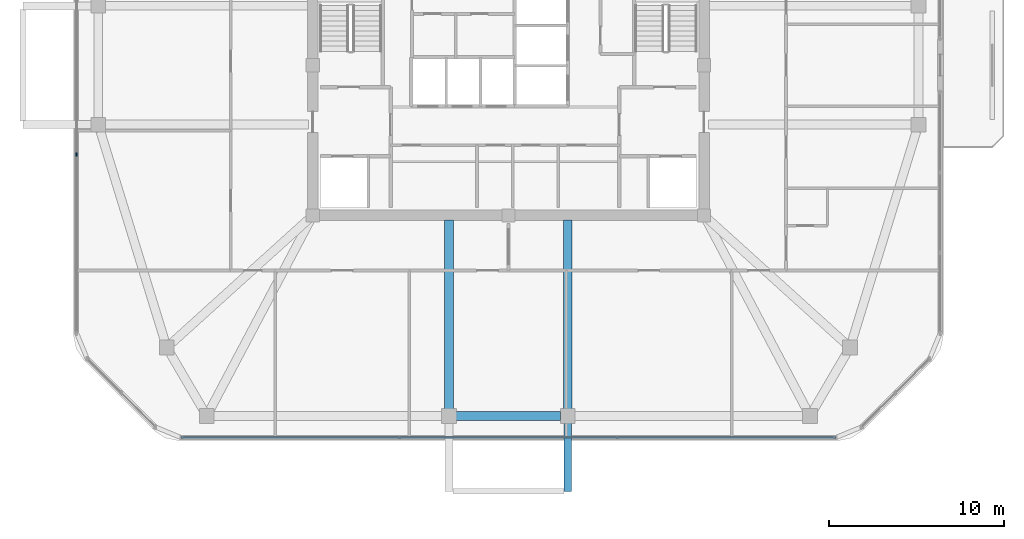
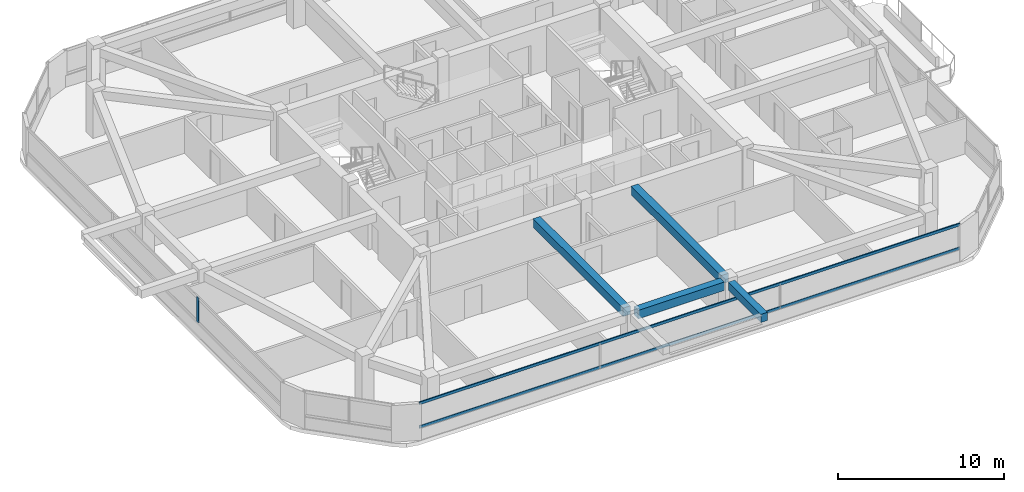
# One storey, part 3 of 14: 4 beams, 3 members, 2 elements without a shape of their own.
"""IFC4 building model written with IfcOpenShell, lengths in metres."""

from ifc_helpers import new_model, si_unit, derived_unit, direction, frame, origin, origin_2d, place, context, subcontext, project, spatial, rectangle, extrude, material, material_profile, profile_set, type_object, element, aggregate, save


model = new_model("IFC4")

# Units and contexts
model_context = context("Model", 3, precision=1e-05, world=origin(), true_north=direction((0.0, 1.0)))
body_context = subcontext(model_context, "Body", "Model", "MODEL_VIEW")
ifc_project = project(units=[si_unit("LENGTHUNIT", "METRE"), si_unit("AREAUNIT", "SQUARE_METRE"), si_unit("VOLUMEUNIT", "CUBIC_METRE"), si_unit("PLANEANGLEUNIT", "RADIAN"), si_unit("MASSUNIT", "GRAM", prefix="KILO"), derived_unit("THERMALTRANSMITTANCEUNIT", [(si_unit("POWERUNIT", "WATT"), 1), (si_unit("LENGTHUNIT", "METRE"), -2), (si_unit("THERMODYNAMICTEMPERATUREUNIT", "KELVIN"), -1)])], contexts=[model_context])

# Site, building, storey
site_placement = place(None, origin())
site = spatial("IfcSite", under=ifc_project, at=site_placement, CompositionType="ELEMENT")
building_placement = place(site_placement, origin())
building = spatial("IfcBuilding", under=site, at=building_placement, Name="Koralith Skygarden Medical Center", CompositionType="ELEMENT")
storey_placement = place(building_placement, frame((0.0, 0.0, 260.820068359375)))
storey = spatial("IfcBuildingStorey", under=building, at=storey_placement, Name="L67", CompositionType="ELEMENT", Elevation=260.820068359375)

# Curtain wall, member
ifc_material_1 = material(Name="Clear Laminated Glass", Category="glass")
curtain_wall_type = type_object("IfcCurtainWallType", Name="CW-6 Zone 5 Upper Clinical Curtain Wall", PredefinedType="NOTDEFINED", material=ifc_material_1)
curtain_wall_1_placement = place(storey_placement, origin())
curtain_wall_1 = element("IfcCurtainWall", 1, at=curtain_wall_1_placement, inside=storey, type_object=curtain_wall_type, Name="Curtain Wall CW-L67-W", PredefinedType="NOTDEFINED")
ifc_material_2 = material(Name="Aluminium 6063-T6", Category="aluminium")
ifc_material_profile_1 = material_profile(ifc_material_2, rectangle(XDim=0.0830078125, YDim=0.219970703125, at=origin_2d()), Name="MUL83X220")
ifc_profile_set_1 = profile_set([ifc_material_profile_1], Name="Aluminium 6063-T6")
member_type_1 = type_object("IfcMemberType", Name="CW-6 Extruded Mullion 83x220", PredefinedType="MULLION", material=ifc_profile_set_1)
member_1_placement = place(storey_placement, frame((12.280029296875, 20.784912109375, 0.849853515625), z_axis=(0.0, 0.0, 1.0), x_axis=(1.0, 0.0, 0.0)))
member_1 = element("IfcMember", 2, at=member_1_placement, type_object=member_type_1, Name="CW-L67-W Mullion 3", PredefinedType="MULLION", context=body_context, shape_type="SweptSolid", body=[
    extrude(rectangle(XDim=0.0830078125, YDim=0.219970703125, at=origin_2d()), origin(), (0.0, 0.0, 1.0), 1.840087890625),
])
aggregate(curtain_wall_1, [member_1])

# Curtain wall, members
curtain_wall_2_placement = place(storey_placement, origin())
curtain_wall_2 = element("IfcCurtainWall", 3, at=curtain_wall_2_placement, inside=storey, type_object=curtain_wall_type, Name="Curtain Wall CW-L67-S", PredefinedType="NOTDEFINED")
ifc_material_profile_2 = material_profile(ifc_material_2, rectangle(XDim=0.077880859375, YDim=0.197998046875, at=origin_2d()), Name="TRN78X198")
ifc_profile_set_2 = profile_set([ifc_material_profile_2], Name="Aluminium 6063-T6")
member_type_2 = type_object("IfcMemberType", Name="CW-6 Thermal Transom 78x198", PredefinedType="USERDEFINED", material=ifc_profile_set_2)
member_2_placement = place(storey_placement, frame((18.2548828125, 4.580078125, 0.89990234375), z_axis=(1.0, 0.0, 0.0), x_axis=(0.0, 1.0, 0.0)))
member_2 = element("IfcMember", 4, at=member_2_placement, type_object=member_type_2, Name="CW-L67-S Transom 1", ObjectType="TRANSOM", PredefinedType="USERDEFINED", context=body_context, shape_type="SweptSolid", body=[
    extrude(rectangle(XDim=0.077880859375, YDim=0.197998046875, at=origin_2d()), origin(), (0.0, 0.0, 1.0), 37.490234375),
])
member_3_placement = place(storey_placement, frame((18.2548828125, 4.580078125, 2.639892578125), z_axis=(1.0, 0.0, 0.0), x_axis=(0.0, 1.0, 0.0)))
member_3 = element("IfcMember", 5, at=member_3_placement, type_object=member_type_2, Name="CW-L67-S Transom 2", ObjectType="TRANSOM", PredefinedType="USERDEFINED", context=body_context, shape_type="SweptSolid", body=[
    extrude(rectangle(XDim=0.077880859375, YDim=0.197998046875, at=origin_2d()), origin(), (0.0, 0.0, 1.0), 37.490234375),
])
aggregate(curtain_wall_2, [member_2, member_3])

# Beams
ifc_material_3 = material(Name="Concrete C45/55", Category="concrete")
ifc_material_profile_3 = material_profile(ifc_material_3, rectangle(XDim=0.449951171875, YDim=0.60009765625, at=origin_2d()), Name="RCB450X600")
ifc_profile_set_3 = profile_set([ifc_material_profile_3], Name="Concrete C45/55")
beam_type_1 = type_object("IfcBeamType", Name="Planted Balcony Cantilever Beam RCB450X600", PredefinedType="BEAM", material=ifc_profile_set_3)
beam_1_placement = place(storey_placement, frame((40.39990234375, 5.419921875, 3.0400390625), z_axis=(0.0, -1.0, 0.0), x_axis=(1.0, 0.0, 0.0)))
element("IfcBeam", 6, at=beam_1_placement, inside=storey, type_object=beam_type_1, Name="L68 S Balcony Cantilever Beam B", PredefinedType="BEAM", context=body_context, shape_type="SweptSolid", body=[
    extrude(rectangle(XDim=0.449951171875, YDim=0.60009765625, at=origin_2d()), origin(), (0.0, 0.0, 1.0), 3.919921875),
])
ifc_material_profile_4 = material_profile(ifc_material_3, rectangle(XDim=0.5, YDim=0.6201171875, at=origin_2d()), Name="RCB500X620")
ifc_profile_set_4 = profile_set([ifc_material_profile_4], Name="Concrete C45/55")
beam_type_2 = type_object("IfcBeamType", Name="Upper Radial Collector Beam RCB500X620", PredefinedType="BEAM", material=ifc_profile_set_4)
for number, where, z_axis, x_axis, name in (
    (7, (33.60009765625, 17.050048828125, 3.010009765625), (0.0, -1.0, 0.0), (1.0, 0.0, 0.0), "L67 Radial Collector Beam RB-04"),
    (8, (40.39990234375, 17.050048828125, 3.010009765625), (0.0, -1.0, 0.0), (1.0, 0.0, 0.0), "L67 Radial Collector Beam RB-05"),
):
    element("IfcBeam", number, at=place(storey_placement, frame(where, z_axis=z_axis, x_axis=x_axis)), inside=storey, type_object=beam_type_2, Name=name, PredefinedType="BEAM", context=body_context, shape_type="SweptSolid", body=[
        extrude(rectangle(XDim=0.5, YDim=0.6201171875, at=origin_2d()), origin(), (0.0, 0.0, 1.0), 10.820068359375),
    ])
ifc_material_profile_5 = material_profile(ifc_material_3, rectangle(XDim=0.5, YDim=0.6201171875, at=origin_2d()), Name="RCB500X620")
ifc_profile_set_5 = profile_set([ifc_material_profile_5], Name="Concrete C45/55")
beam_type_3 = type_object("IfcBeamType", Name="Zone 4-5 Spandrel Beam RCB500X620", PredefinedType="SPANDREL", material=ifc_profile_set_5)
beam_2_placement = place(storey_placement, frame((34.010009765625, 5.820068359375, 3.010009765625), z_axis=(1.0, 0.0, 0.0), x_axis=(0.0, 1.0, 0.0)))
element("IfcBeam", 9, at=beam_2_placement, inside=storey, type_object=beam_type_3, Name="L67 Perimeter Spandrel Beam SP-04", PredefinedType="SPANDREL", context=body_context, shape_type="SweptSolid", body=[
    extrude(rectangle(XDim=0.5, YDim=0.6201171875, at=origin_2d()), origin(), (0.0, 0.0, 1.0), 5.97998046875),
])

save(model, "model.ifc")
